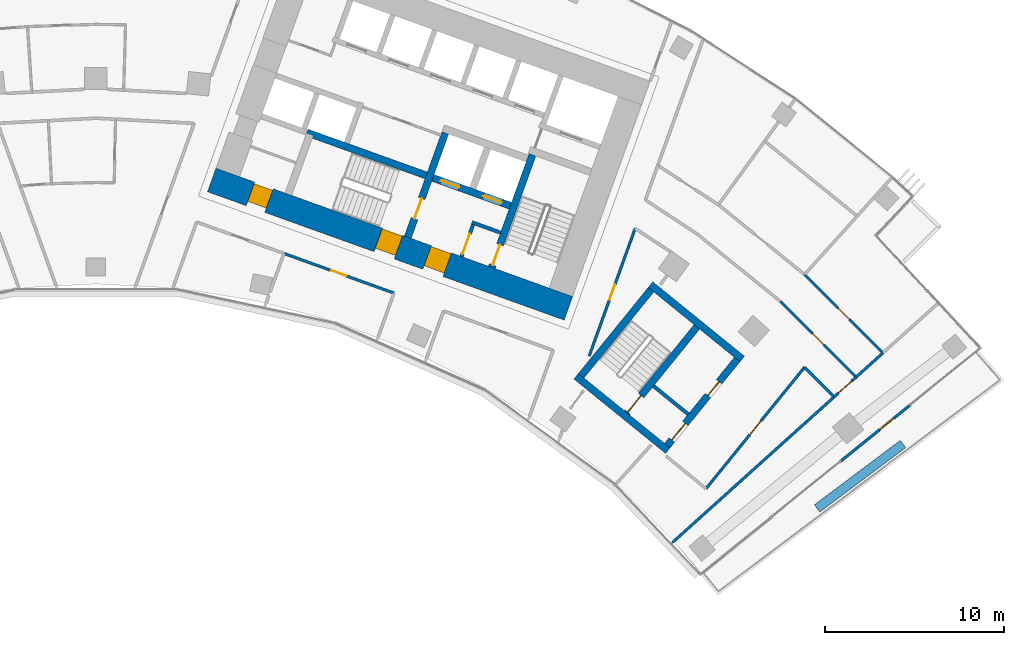
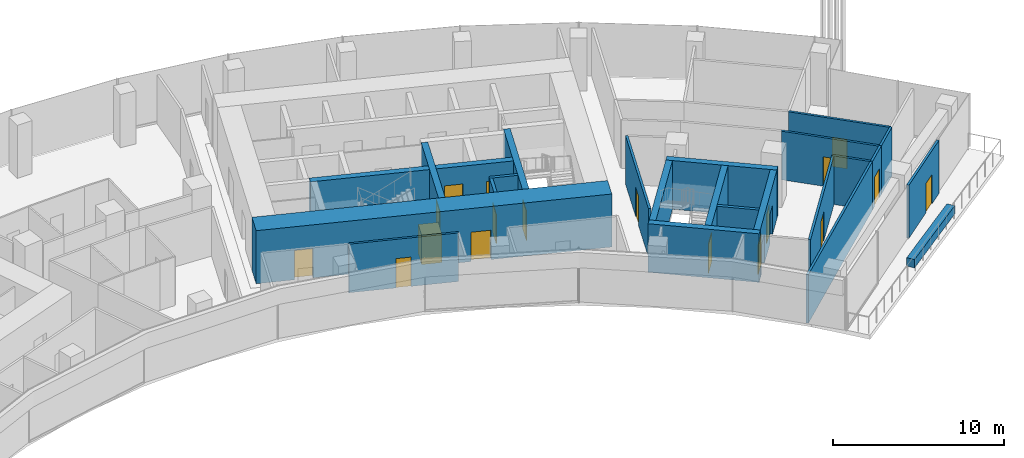
# One storey, part 17 of 21: 23 walls, 18 doors, 18 openings.
"""IFC4 building model written with IfcOpenShell, lengths in metres."""

import ifcopenshell
import ifcopenshell.guid

model = None  # the IFC model being written
_history = None  # IfcOwnerHistory: only IFC2X3 demands one
_inside = {}  # id of a spatial element -> (the spatial element, [elements in it])
_under = {}  # id of a project, library or spatial element -> (it, [spatial elements below it])
_declared = {}  # id of a project -> (the project, [libraries it declares])
_typed = {}  # id of a type object -> (the type object, [elements of that type])
_made_of = {}  # id of a material, layer set ... -> (it, [elements and type objects made of it])


def new_model(schema):
    """Start an empty IFC model of exactly this schema.

    Asked for "IFC4X3", IfcOpenShell would pick the latest addendum, in which some entities
    have other attributes; the version numbers below select the first issue.
    IFC2X3 requires an IfcOwnerHistory on every rooted entity: one is made here for all.
    """
    global model, _history
    if schema == "IFC4X3":
        model = ifcopenshell.file(schema_version=(4, 3, 0, 0))
    else:
        model = ifcopenshell.file(schema=schema)
    _inside.clear()
    _under.clear()
    _declared.clear()
    _typed.clear()
    _made_of.clear()
    _history = None
    if model.schema == "IFC2X3":
        org = make("IfcOrganization", Name="unknown")
        user = make(
            "IfcPersonAndOrganization",
            ThePerson=make("IfcPerson", FamilyName="unknown"),
            TheOrganization=org,
        )
        app = make(
            "IfcApplication",
            ApplicationDeveloper=org,
            Version="unknown",
            ApplicationFullName="unknown",
            ApplicationIdentifier="unknown",
        )
        _history = make(
            "IfcOwnerHistory",
            OwningUser=user,
            OwningApplication=app,
            ChangeAction="ADDED",
            CreationDate=0,
        )
    return model


def make(cls, **values):
    """One entity of the class cls with the attributes given. An attribute that is None is left unset."""
    return model.create_entity(
        cls, **{name: value for name, value in values.items() if value is not None}
    )


def rooted(cls, **values):
    """An entity with a GlobalId (a new one), such as an element, a storey or a relation."""
    return make(cls, GlobalId=ifcopenshell.guid.new(), OwnerHistory=_history, **values)


def si_unit(unit_type, name, prefix=None):
    """IfcSIUnit, for example si_unit("LENGTHUNIT", "METRE", prefix="MILLI")."""
    return make("IfcSIUnit", UnitType=unit_type, Prefix=prefix, Name=name)


def assignment(units):
    """IfcUnitAssignment: the units of a project."""
    return None if units is None else make("IfcUnitAssignment", Units=units)


def point(xyz):
    """IfcCartesianPoint."""
    return None if xyz is None else make("IfcCartesianPoint", Coordinates=xyz)


def direction(xyz):
    """IfcDirection."""
    return None if xyz is None else make("IfcDirection", DirectionRatios=xyz)


def frame(location, z_axis=None, x_axis=None):
    """IfcAxis2Placement3D, a coordinate frame: its origin and axes. An axis left out is left unset."""
    return make(
        "IfcAxis2Placement3D",
        Location=point(location),
        Axis=direction(z_axis),
        RefDirection=direction(x_axis),
    )


def frame_2d(location, x_axis=None):
    """IfcAxis2Placement2D, a coordinate frame in the plane: its origin and x axis."""
    return make(
        "IfcAxis2Placement2D", Location=point(location), RefDirection=direction(x_axis)
    )


def origin():
    """The frame at (0, 0, 0) with its axes left unset."""
    return frame((0.0, 0.0, 0.0))


def origin_2d():
    """The frame at (0, 0) in the plane with its x axis left unset."""
    return frame_2d((0.0, 0.0))


def place(relative_to, where):
    """IfcLocalPlacement: puts the frame where relative to a parent placement (None: the world)."""
    return make(
        "IfcLocalPlacement", PlacementRelTo=relative_to, RelativePlacement=where
    )


def context(
    kind, dimensions, precision=None, world=None, true_north=None, identifier=None
):
    """IfcGeometricRepresentationContext, for example the 3D "Model" context."""
    return make(
        "IfcGeometricRepresentationContext",
        ContextIdentifier=identifier,
        ContextType=kind,
        CoordinateSpaceDimension=dimensions,
        Precision=precision,
        WorldCoordinateSystem=world,
        TrueNorth=true_north,
    )


def subcontext(parent, identifier, kind, view, scale=None):
    """IfcGeometricRepresentationSubContext, for example "Body" below "Model"."""
    return make(
        "IfcGeometricRepresentationSubContext",
        ContextIdentifier=identifier,
        ContextType=kind,
        ParentContext=parent,
        TargetScale=scale,
        TargetView=view,
    )


def project(units=None, contexts=None):
    """IfcProject with its units and contexts."""
    return rooted(
        "IfcProject",
        Name="project",
        RepresentationContexts=contexts,
        UnitsInContext=assignment(units),
    )


def spatial(cls, under=None, at=None, **own):
    """A site, building, storey or space (cls), placed at a placement, below another one or the project."""
    s = rooted(cls, ObjectPlacement=at, **own)
    if under is not None:
        _under.setdefault(under.id(), (under, []))[1].append(s)
    return s


def profile(cls, at=None, kind="AREA", **sizes):
    """A parametric profile (cls). Its sizes go by their IFC names, for example OverallWidth=200.0."""
    return make(cls, ProfileType=kind, Position=at, **sizes)


def rectangle(**sizes):
    """IfcRectangleProfileDef."""
    return profile("IfcRectangleProfileDef", **sizes)


def extrude(swept, where, along, depth):
    """IfcExtrudedAreaSolid: the profile swept, set in the frame where, extruded along a direction by depth."""
    return make(
        "IfcExtrudedAreaSolid",
        SweptArea=swept,
        Position=where,
        ExtrudedDirection=direction(along),
        Depth=depth,
    )


def shape(context_of_items, identifier, shape_type, items):
    """IfcShapeRepresentation: the items that make up one representation, for example the "Body"."""
    return make(
        "IfcShapeRepresentation",
        ContextOfItems=context_of_items,
        RepresentationIdentifier=identifier,
        RepresentationType=shape_type,
        Items=items,
    )


def material(Name=None, Category=None):
    """IfcMaterial."""
    return make("IfcMaterial", Name=Name, Category=Category)


def layer(
    of_material, thickness, ventilated=None, Name=None, Category=None, Priority=None
):
    """IfcMaterialLayer: one layer of a wall or slab, of a material (None: an air gap)."""
    return make(
        "IfcMaterialLayer",
        Material=of_material,
        LayerThickness=thickness,
        IsVentilated=ventilated,
        Name=Name,
        Category=Category,
        Priority=Priority,
    )


def layer_set(layers, Name=None):
    """IfcMaterialLayerSet."""
    return make("IfcMaterialLayerSet", MaterialLayers=layers, LayerSetName=Name)


def made_of(thing, what):
    """Note that an element or type object is made of a material, layer set ...; save() writes the relation."""
    if what is not None:
        _made_of.setdefault(what.id(), (what, []))[1].append(thing)
    return thing


def type_object(cls, material=None, **own):
    """A type object (cls), such as IfcWallType, which elements share."""
    return made_of(rooted(cls, **own), material)


def element(
    cls,
    number,
    at=None,
    inside=None,
    cuts=None,
    type_object=None,
    material=None,
    context=None,
    identifier="Body",
    shape_type=None,
    held_by="IfcProductDefinitionShape",
    body=None,
    shapes=None,
    **own,
):
    """One element of the class cls, such as IfcWall. Its Tag is "e" and its number.

    at: its placement. inside: the storey or other place that contains it. cuts: it is an
    opening in that element (IfcRelVoidsElement). A single representation is given by context,
    identifier, shape_type and body (its items); several are given by shapes. held_by: the class
    of the entity that holds the representations. save() writes the other relations.
    """
    e = rooted(cls, Tag="e%d" % number, ObjectPlacement=at, **own)
    if body is not None:
        shapes = [shape(context, identifier, shape_type, body)]
    if shapes is not None:
        e.Representation = make(held_by, Representations=shapes)
    if inside is not None:
        _inside.setdefault(inside.id(), (inside, []))[1].append(e)
    if cuts is not None:
        rooted(
            "IfcRelVoidsElement", RelatingBuildingElement=cuts, RelatedOpeningElement=e
        )
    if type_object is not None:
        _typed.setdefault(type_object.id(), (type_object, []))[1].append(e)
    return made_of(e, material)


def fill(opening, filler):
    """IfcRelFillsElement: the door or window that sits in an opening."""
    return rooted(
        "IfcRelFillsElement",
        RelatingOpeningElement=opening,
        RelatedBuildingElement=filler,
    )


def aggregate(whole, parts):
    """IfcRelAggregates: a whole, such as a stair, and the parts it consists of."""
    return rooted("IfcRelAggregates", RelatingObject=whole, RelatedObjects=parts)


def save(model, path):
    """Write the relations noted so far, then the file.

    IfcRelAggregates (storeys below a building ...), IfcRelContainedInSpatialStructure (elements
    in a storey), IfcRelDefinesByType, IfcRelAssociatesMaterial and IfcRelDeclares: one each for
    every whole, place, type object, material and project.
    """
    for whole, parts in _under.values():
        aggregate(whole, parts)
    for where, things in _inside.values():
        rooted(
            "IfcRelContainedInSpatialStructure",
            RelatedElements=things,
            RelatingStructure=where,
        )
    for kind, things in _typed.values():
        rooted("IfcRelDefinesByType", RelatedObjects=things, RelatingType=kind)
    for what, things in _made_of.values():
        rooted("IfcRelAssociatesMaterial", RelatedObjects=things, RelatingMaterial=what)
    for by, libraries in _declared.values():
        rooted("IfcRelDeclares", RelatingContext=by, RelatedDefinitions=libraries)
    model.write(path)


model = new_model("IFC4")

# Units and contexts
model_context = context("Model", 3, precision=1e-05, world=origin(), true_north=direction((0.0, 1.0)))
body_context = subcontext(model_context, "Body", "Model", "MODEL_VIEW")
ifc_project = project(units=[si_unit("LENGTHUNIT", "METRE"), si_unit("AREAUNIT", "SQUARE_METRE"), si_unit("VOLUMEUNIT", "CUBIC_METRE"), si_unit("PLANEANGLEUNIT", "RADIAN"), si_unit("MASSUNIT", "GRAM", prefix="KILO")], contexts=[model_context])

# Site, building, storey
site_placement = place(None, origin())
site = spatial("IfcSite", under=ifc_project, at=site_placement, CompositionType="ELEMENT")
building_placement = place(site_placement, origin())
building = spatial("IfcBuilding", under=site, at=building_placement, Name="Stone Belt Terrace Tower", CompositionType="ELEMENT")
storey_placement = place(building_placement, frame((0.0, 0.0, 159.199951171875)))
storey = spatial("IfcBuildingStorey", under=building, at=storey_placement, Name="L38", CompositionType="ELEMENT", Elevation=159.199951171875)

# Wall, opening, door
ifc_material_1 = material(Name="Terracotta coloured glazed ceramic", Category="masonry")
ifc_layer_1 = layer(ifc_material_1, 0.14990234375)
ifc_layer_set_1 = layer_set([ifc_layer_1], Name="Ceramic rain-screen wall 150")
wall_type_1 = type_object("IfcWallType", Name="Ceramic rain-screen wall 150", PredefinedType="SOLIDWALL", material=ifc_layer_set_1)
wall_1_placement = place(storey_placement, frame((41.67431640625, 33.59619140625, 0.0), z_axis=(0.0, 0.0, 1.0), x_axis=(0.777627970578, 0.628724692831, 0.0)))
wall_1 = element("IfcWall", 1, at=wall_1_placement, inside=storey, type_object=wall_type_1, Name="Door wall L38", PredefinedType="SOLIDWALL", context=body_context, shape_type="SweptSolid", body=[
    extrude(rectangle(XDim=4.940185546875, YDim=0.14990234375, at=frame_2d((2.47021484375, 0.0))), origin(), (0.0, 0.0, 1.0), 3.800048828125),
])
opening_1_placement = place(wall_1_placement, frame((2.800048828125, 0.0, 0.0)))
opening_1 = element("IfcOpeningElement", 2, at=opening_1_placement, cuts=wall_1, Name="Opening L38-E01", PredefinedType="OPENING", context=body_context, shape_type="SweptSolid", body=[
    extrude(rectangle(XDim=1.0, YDim=2.10009765625, at=frame_2d((0.5, 1.050048828125))), frame((0.0, 0.0849609375, 0.0), z_axis=(0.0, -1.0, 0.0), x_axis=(1.0, 0.0, 0.0)), (0.0, 0.0, 1.0), 0.169921875),
])
ifc_material_2 = material(Name="Anodised aluminium glazed door", Category="aluminium")
door_type_1 = type_object("IfcDoorType", Name="Terrace door 1000 x 2100", OperationType="NOTDEFINED", PredefinedType="DOOR", material=ifc_material_2)
door_1_placement = place(opening_1_placement, origin())
door_1 = element("IfcDoor", 3, at=door_1_placement, inside=storey, type_object=door_type_1, Name="Terrace door L38", OperationType="SINGLE_SWING_RIGHT", OverallHeight=2.10009765625, OverallWidth=1.0, PredefinedType="DOOR", context=body_context, shape_type="SweptSolid", body=[
    extrude(rectangle(XDim=1.0, YDim=2.10009765625, at=frame_2d((0.5, 1.050048828125))), frame((0.0, 0.02490234375, 0.0), z_axis=(0.0, -1.0, 0.0), x_axis=(1.0, 0.0, 0.0)), (0.0, 0.0, 1.0), 0.050048828125),
])
fill(opening_1, door_1)

# Wall, openings, doors
ifc_material_3 = material(Name="Concrete B80", Category="concrete")
ifc_layer_2 = layer(ifc_material_3, 1.39990234375)
ifc_layer_set_2 = layer_set([ifc_layer_2], Name="Core wall 1400 B80")
wall_type_2 = type_object("IfcWallType", Name="Core wall 1400 B80", PredefinedType="SHEAR", material=ifc_layer_set_2)
wall_2_placement = place(storey_placement, frame((6.4833984375, 49.318115234375, 0.0), z_axis=(0.0, 0.0, 1.0), x_axis=(0.940923374003, -0.33861955681, 0.0)))
wall_2 = element("IfcWall", 4, at=wall_2_placement, inside=storey, type_object=wall_type_2, Name="Core B wall concave L38", PredefinedType="SHEAR", context=body_context, shape_type="SweptSolid", body=[
    extrude(rectangle(XDim=21.199951171875, YDim=1.39990234375, at=frame_2d((10.60009765625, 0.0))), origin(), (0.0, 0.0, 1.0), 3.800048828125),
])
opening_2_placement = place(wall_2_placement, frame((12.800048828125, 0.0, 0.0)))
opening_2 = element("IfcOpeningElement", 5, at=opening_2_placement, cuts=wall_2, Name="Opening L38-C18", PredefinedType="OPENING", context=body_context, shape_type="SweptSolid", body=[
    extrude(rectangle(XDim=1.199951171875, YDim=2.10009765625, at=frame_2d((0.60009765625, 1.050048828125))), frame((0.0, 0.7099609375, 0.0), z_axis=(0.0, -1.0, 0.0), x_axis=(1.0, 0.0, 0.0)), (0.0, 0.0, 1.0), 1.419921875),
])
opening_3_placement = place(wall_2_placement, frame((9.89990234375, 0.0, 0.0)))
opening_3 = element("IfcOpeningElement", 6, at=opening_3_placement, cuts=wall_2, Name="Opening L38-C20", PredefinedType="OPENING", context=body_context, shape_type="SweptSolid", body=[
    extrude(rectangle(XDim=1.199951171875, YDim=2.10009765625, at=frame_2d((0.60009765625, 1.050048828125))), frame((0.0, 0.7099609375, 0.0), z_axis=(0.0, -1.0, 0.0), x_axis=(1.0, 0.0, 0.0)), (0.0, 0.0, 1.0), 1.419921875),
])
opening_4_placement = place(wall_2_placement, frame((2.300048828125, 0.0, 0.0)))
opening_4 = element("IfcOpeningElement", 7, at=opening_4_placement, cuts=wall_2, Name="Opening L38-C22", PredefinedType="OPENING", context=body_context, shape_type="SweptSolid", body=[
    extrude(rectangle(XDim=1.10009765625, YDim=2.10009765625, at=frame_2d((0.550048828125, 1.050048828125))), frame((0.0, 0.7099609375, 0.0), z_axis=(0.0, -1.0, 0.0), x_axis=(1.0, 0.0, 0.0)), (0.0, 0.0, 1.0), 1.419921875),
])
ifc_material_4 = material(Name="Timber door leaf", Category="wood")
door_type_2 = type_object("IfcDoorType", Name="Core room door 1100", OperationType="SINGLE_SWING_LEFT", PredefinedType="DOOR", material=ifc_material_4)
door_2_placement = place(opening_4_placement, origin())
door_2 = element("IfcDoor", 8, at=door_2_placement, inside=storey, type_object=door_type_2, Name="Door to Cleaner's store core B", OperationType="SINGLE_SWING_LEFT", OverallHeight=2.10009765625, OverallWidth=1.10009765625, PredefinedType="DOOR", context=body_context, shape_type="SweptSolid", body=[
    extrude(rectangle(XDim=1.10009765625, YDim=2.10009765625, at=frame_2d((0.550048828125, 1.050048828125))), frame((0.0, 0.60498046875, 0.0), z_axis=(0.0, -1.0, 0.0), x_axis=(1.0, 0.0, 0.0)), (0.0, 0.0, 1.0), 1.050048828125),
])
fill(opening_4, door_2)
ifc_material_5 = material(Name="Steel door leaf", Category="steel")
door_type_3 = type_object("IfcDoorType", Name="Fire-fighting lobby door 1200", OperationType="SINGLE_SWING_LEFT", PredefinedType="DOOR", material=ifc_material_5)
door_3_placement = place(opening_2_placement, origin())
door_3 = element("IfcDoor", 9, at=door_3_placement, inside=storey, type_object=door_type_3, Name="Fire-fighting lobby door core B", OperationType="SINGLE_SWING_LEFT", OverallHeight=2.10009765625, OverallWidth=1.199951171875, PredefinedType="DOOR", context=body_context, shape_type="SweptSolid", body=[
    extrude(rectangle(XDim=1.199951171875, YDim=2.10009765625, at=frame_2d((0.60009765625, 1.050048828125))), frame((0.0, 0.655029296875, 0.0), z_axis=(0.0, -1.0, 0.0), x_axis=(1.0, 0.0, 0.0)), (0.0, 0.0, 1.0), 1.14990234375),
])
fill(opening_2, door_3)
door_type_4 = type_object("IfcDoorType", Name="Stair door 1200", OperationType="SINGLE_SWING_LEFT", PredefinedType="DOOR", material=ifc_material_5)
door_4_placement = place(opening_3_placement, origin())
door_4 = element("IfcDoor", 10, at=door_4_placement, inside=storey, type_object=door_type_4, Name="Stair 2 exit door core B", OperationType="SINGLE_SWING_RIGHT", OverallHeight=2.10009765625, OverallWidth=1.199951171875, PredefinedType="DOOR", context=body_context, shape_type="SweptSolid", body=[
    extrude(rectangle(XDim=1.199951171875, YDim=2.10009765625, at=frame_2d((0.60009765625, 1.050048828125))), frame((0.0, 0.655029296875, 0.0), z_axis=(0.0, -1.0, 0.0), x_axis=(1.0, 0.0, 0.0)), (0.0, 0.0, 1.0), 1.14990234375),
])
fill(opening_3, door_4)

# Wall, opening, door
ifc_material_6 = material(Name="Gypsum board partition")
ifc_layer_3 = layer(ifc_material_6, 0.14990234375)
ifc_layer_set_3 = layer_set([ifc_layer_3], Name="PARTITION 150 EI 60")
wall_type_3 = type_object("IfcWallType", Name="PARTITION 150 EI 60", PredefinedType="PARTITIONING", material=ifc_layer_set_3)
wall_3_placement = place(storey_placement, frame((30.1669921875, 46.612060546875, 0.0), z_axis=(0.0, 0.0, 1.0), x_axis=(-0.338694393991, -0.940896438233, 0.0)))
wall_3 = element("IfcWall", 11, at=wall_3_placement, inside=storey, type_object=wall_type_3, Name="L38/wall/i029", PredefinedType="PARTITIONING", context=body_context, shape_type="SweptSolid", body=[
    extrude(rectangle(XDim=7.585205078125, YDim=0.14990234375, at=frame_2d((3.79248046875, 0.0))), origin(), (0.0, 0.0, 1.0), 3.47998046875),
])
opening_5_placement = place(wall_3_placement, frame((3.342529296875, 0.0, 0.0)))
opening_5 = element("IfcOpeningElement", 12, at=opening_5_placement, cuts=wall_3, Name="Opening D-C2-20", PredefinedType="OPENING", context=body_context, shape_type="SweptSolid", body=[
    extrude(rectangle(XDim=0.89990234375, YDim=2.10009765625, at=frame_2d((0.449951171875, 1.050048828125))), frame((0.0, 0.0849609375, 0.0), z_axis=(0.0, -1.0, 0.0), x_axis=(1.0, 0.0, 0.0)), (0.0, 0.0, 1.0), 0.169921875),
])
door_type_5 = type_object("IfcDoorType", Name="OFFICE DOOR 900 X 2100", OperationType="NOTDEFINED", PredefinedType="DOOR", material=ifc_material_4)
door_5_placement = place(opening_5_placement, origin())
door_5 = element("IfcDoor", 13, at=door_5_placement, inside=storey, type_object=door_type_5, Name="L38/door/i20", OperationType="SINGLE_SWING_RIGHT", OverallHeight=2.10009765625, OverallWidth=0.89990234375, PredefinedType="DOOR", context=body_context, shape_type="SweptSolid", body=[
    extrude(rectangle(XDim=0.89990234375, YDim=2.10009765625, at=frame_2d((0.449951171875, 1.050048828125))), frame((0.0, 0.02490234375, 0.0), z_axis=(0.0, -1.0, 0.0), x_axis=(1.0, 0.0, 0.0)), (0.0, 0.0, 1.0), 0.050048828125),
])
fill(opening_5, door_5)

wall_4_placement = place(storey_placement, frame((16.673095703125, 42.993896484375, 0.0), z_axis=(0.0, 0.0, 1.0), x_axis=(-0.940900248157, 0.338683809795, 0.0)))
wall_4 = element("IfcWall", 14, at=wall_4_placement, inside=storey, type_object=wall_type_3, Name="L38/wall/i036", PredefinedType="PARTITIONING", context=body_context, shape_type="SweptSolid", body=[
    extrude(rectangle(XDim=6.546142578125, YDim=0.14990234375, at=frame_2d((3.27294921875, 0.0))), origin(), (0.0, 0.0, 1.0), 3.47998046875),
])
opening_6_placement = place(wall_4_placement, frame((2.822998046875, 0.0, 0.0)))
opening_6 = element("IfcOpeningElement", 15, at=opening_6_placement, cuts=wall_4, Name="Opening D-C2-08", PredefinedType="OPENING", context=body_context, shape_type="SweptSolid", body=[
    extrude(rectangle(XDim=0.89990234375, YDim=2.10009765625, at=frame_2d((0.449951171875, 1.050048828125))), frame((0.0, 0.0849609375, 0.0), z_axis=(0.0, -1.0, 0.0), x_axis=(1.0, 0.0, 0.0)), (0.0, 0.0, 1.0), 0.169921875),
])
door_6_placement = place(opening_6_placement, origin())
door_6 = element("IfcDoor", 16, at=door_6_placement, inside=storey, type_object=door_type_5, Name="L38/door/i08", OperationType="SINGLE_SWING_RIGHT", OverallHeight=2.10009765625, OverallWidth=0.89990234375, PredefinedType="DOOR", context=body_context, shape_type="SweptSolid", body=[
    extrude(rectangle(XDim=0.89990234375, YDim=2.10009765625, at=frame_2d((0.449951171875, 1.050048828125))), frame((0.0, 0.02490234375, 0.0), z_axis=(0.0, -1.0, 0.0), x_axis=(1.0, 0.0, 0.0)), (0.0, 0.0, 1.0), 0.050048828125),
])
fill(opening_6, door_6)

wall_5_placement = place(storey_placement, frame((42.530029296875, 38.294921875, 0.0), z_axis=(0.0, 0.0, 1.0), x_axis=(-0.74296518681, -0.669330061471, 0.0)))
wall_5 = element("IfcWall", 17, at=wall_5_placement, inside=storey, type_object=wall_type_3, Name="L38/wall/i061", PredefinedType="PARTITIONING", context=body_context, shape_type="SweptSolid", body=[
    extrude(rectangle(XDim=1.6611328125, YDim=0.14990234375, at=frame_2d((0.83056640625, 0.0))), origin(), (0.0, 0.0, 1.0), 3.47998046875),
])
opening_7_placement = place(wall_5_placement, frame((0.33056640625, 0.0, 0.0)))
opening_7 = element("IfcOpeningElement", 18, at=opening_7_placement, cuts=wall_5, Name="Opening D-C2-19", PredefinedType="OPENING", context=body_context, shape_type="SweptSolid", body=[
    extrude(rectangle(XDim=1.0, YDim=2.10009765625, at=frame_2d((0.5, 1.050048828125))), frame((0.0, 0.0849609375, 0.0), z_axis=(0.0, -1.0, 0.0), x_axis=(1.0, 0.0, 0.0)), (0.0, 0.0, 1.0), 0.169921875),
])
ifc_material_7 = material(Name="Timber fire door leaf", Category="wood")
door_type_6 = type_object("IfcDoorType", Name="TENANCY ENTRANCE DOOR 1000 X 2100", OperationType="NOTDEFINED", PredefinedType="DOOR", material=ifc_material_7)
door_7_placement = place(opening_7_placement, origin())
door_7 = element("IfcDoor", 19, at=door_7_placement, inside=storey, type_object=door_type_6, Name="L38/door/i19", OperationType="SINGLE_SWING_RIGHT", OverallHeight=2.10009765625, OverallWidth=1.0, PredefinedType="DOOR", context=body_context, shape_type="SweptSolid", body=[
    extrude(rectangle(XDim=1.0, YDim=2.10009765625, at=frame_2d((0.5, 1.050048828125))), frame((0.0, 0.02490234375, 0.0), z_axis=(0.0, -1.0, 0.0), x_axis=(1.0, 0.0, 0.0)), (0.0, 0.0, 1.0), 0.050048828125),
])
fill(opening_7, door_7)

# Walls
wall_6_placement = place(storey_placement, frame((32.23681640625, 29.026123046875, 0.0), z_axis=(0.0, 0.0, 1.0), x_axis=(0.743116028327, 0.669162587451, 0.0)))
element("IfcWall", 20, at=wall_6_placement, inside=storey, type_object=wall_type_3, Name="L38/wall/i062", PredefinedType="PARTITIONING", context=body_context, shape_type="SweptSolid", body=[
    extrude(rectangle(XDim=12.201416015625, YDim=0.14990234375, at=frame_2d((6.1005859375, 0.0))), origin(), (0.0, 0.0, 1.0), 3.47998046875),
])
wall_7_placement = place(storey_placement, frame((42.52197265625, 38.287109375, 0.0), z_axis=(0.0, 0.0, 1.0), x_axis=(0.743276242629, 0.668984623997, 0.0)))
element("IfcWall", 21, at=wall_7_placement, inside=storey, type_object=wall_type_3, Name="L38/wall/i063", PredefinedType="PARTITIONING", context=body_context, shape_type="SweptSolid", body=[
    extrude(rectangle(XDim=2.0341796875, YDim=0.14990234375, at=frame_2d((1.01708984375, 0.0))), origin(), (0.0, 0.0, 1.0), 3.47998046875),
])
wall_8_placement = place(storey_placement, frame((41.300048828125, 37.18701171875, 0.0), z_axis=(0.0, 0.0, 1.0), x_axis=(-0.707158745675, 0.707054812879, 0.0)))
element("IfcWall", 22, at=wall_8_placement, inside=storey, type_object=wall_type_3, Name="L38/wall/i067", PredefinedType="PARTITIONING", context=body_context, shape_type="SweptSolid", body=[
    extrude(rectangle(XDim=2.34912109375, YDim=0.14990234375, at=frame_2d((1.174560546875, 0.0))), origin(), (0.0, 0.0, 1.0), 3.47998046875),
])

# Wall, opening, door
wall_9_placement = place(storey_placement, frame((38.291015625, 42.52587890625, 0.0), z_axis=(0.0, 0.0, 1.0), x_axis=(0.707106781187, -0.707106781187, 0.0)))
wall_9 = element("IfcWall", 23, at=wall_9_placement, inside=storey, type_object=wall_type_3, Name="L38/wall/i070", PredefinedType="PARTITIONING", context=body_context, shape_type="SweptSolid", body=[
    extrude(rectangle(XDim=5.989013671875, YDim=0.14990234375, at=frame_2d((2.99462890625, 0.0))), origin(), (0.0, 0.0, 1.0), 3.47998046875),
])
opening_8_placement = place(wall_9_placement, frame((2.544677734375, 0.0, 0.0)))
opening_8 = element("IfcOpeningElement", 24, at=opening_8_placement, cuts=wall_9, Name="Opening D-C2-23", PredefinedType="OPENING", context=body_context, shape_type="SweptSolid", body=[
    extrude(rectangle(XDim=0.89990234375, YDim=2.10009765625, at=frame_2d((0.449951171875, 1.050048828125))), frame((0.0, 0.0849609375, 0.0), z_axis=(0.0, -1.0, 0.0), x_axis=(1.0, 0.0, 0.0)), (0.0, 0.0, 1.0), 0.169921875),
])
door_8_placement = place(opening_8_placement, origin())
door_8 = element("IfcDoor", 25, at=door_8_placement, inside=storey, type_object=door_type_5, Name="L38/door/i23", OperationType="SINGLE_SWING_RIGHT", OverallHeight=2.10009765625, OverallWidth=0.89990234375, PredefinedType="DOOR", context=body_context, shape_type="SweptSolid", body=[
    extrude(rectangle(XDim=0.89990234375, YDim=2.10009765625, at=frame_2d((0.449951171875, 1.050048828125))), frame((0.0, 0.02490234375, 0.0), z_axis=(0.0, -1.0, 0.0), x_axis=(1.0, 0.0, 0.0)), (0.0, 0.0, 1.0), 0.050048828125),
])
fill(opening_8, door_8)

wall_10_placement = place(storey_placement, frame((39.64306640625, 38.843994140625, 0.0), z_axis=(0.0, 0.0, 1.0), x_axis=(-0.630226712005, -0.776411161354, 0.0)))
wall_10 = element("IfcWall", 26, at=wall_10_placement, inside=storey, type_object=wall_type_3, Name="L38/wall/i071", PredefinedType="PARTITIONING", context=body_context, shape_type="SweptSolid", body=[
    extrude(rectangle(XDim=8.742919921875, YDim=0.14990234375, at=frame_2d((4.37158203125, 0.0))), origin(), (0.0, 0.0, 1.0), 3.47998046875),
])
opening_9_placement = place(wall_10_placement, frame((3.871337890625, 0.0, 0.0)))
opening_9 = element("IfcOpeningElement", 27, at=opening_9_placement, cuts=wall_10, Name="Opening D-C2-22", PredefinedType="OPENING", context=body_context, shape_type="SweptSolid", body=[
    extrude(rectangle(XDim=1.0, YDim=2.10009765625, at=frame_2d((0.5, 1.050048828125))), frame((0.0, 0.0849609375, 0.0), z_axis=(0.0, -1.0, 0.0), x_axis=(1.0, 0.0, 0.0)), (0.0, 0.0, 1.0), 0.169921875),
])
door_9_placement = place(opening_9_placement, origin())
door_9 = element("IfcDoor", 28, at=door_9_placement, inside=storey, type_object=door_type_6, Name="L38/door/i22", OperationType="SINGLE_SWING_RIGHT", OverallHeight=2.10009765625, OverallWidth=1.0, PredefinedType="DOOR", context=body_context, shape_type="SweptSolid", body=[
    extrude(rectangle(XDim=1.0, YDim=2.10009765625, at=frame_2d((0.5, 1.050048828125))), frame((0.0, 0.02490234375, 0.0), z_axis=(0.0, -1.0, 0.0), x_axis=(1.0, 0.0, 0.0)), (0.0, 0.0, 1.0), 0.050048828125),
])
fill(opening_9, door_9)

wall_11_placement = place(storey_placement, frame((39.639892578125, 44.033935546875, 0.0), z_axis=(0.0, 0.0, 1.0), x_axis=(0.707126447351, -0.707087114475, 0.0)))
wall_11 = element("IfcWall", 29, at=wall_11_placement, inside=storey, type_object=wall_type_3, Name="L38/wall/i076", PredefinedType="PARTITIONING", context=body_context, shape_type="SweptSolid", body=[
    extrude(rectangle(XDim=6.20703125, YDim=0.14990234375, at=frame_2d((3.103515625, 0.0))), origin(), (0.0, 0.0, 1.0), 3.47998046875),
])
opening_10_placement = place(wall_11_placement, frame((2.653564453125, 0.0, 0.0)))
opening_10 = element("IfcOpeningElement", 30, at=opening_10_placement, cuts=wall_11, Name="Opening D-C2-26", PredefinedType="OPENING", context=body_context, shape_type="SweptSolid", body=[
    extrude(rectangle(XDim=0.89990234375, YDim=2.10009765625, at=frame_2d((0.449951171875, 1.050048828125))), frame((0.0, 0.0849609375, 0.0), z_axis=(0.0, -1.0, 0.0), x_axis=(1.0, 0.0, 0.0)), (0.0, 0.0, 1.0), 0.169921875),
])
door_10_placement = place(opening_10_placement, origin())
door_10 = element("IfcDoor", 31, at=door_10_placement, inside=storey, type_object=door_type_5, Name="L38/door/i26", OperationType="SINGLE_SWING_RIGHT", OverallHeight=2.10009765625, OverallWidth=0.89990234375, PredefinedType="DOOR", context=body_context, shape_type="SweptSolid", body=[
    extrude(rectangle(XDim=0.89990234375, YDim=2.10009765625, at=frame_2d((0.449951171875, 1.050048828125))), frame((0.0, 0.02490234375, 0.0), z_axis=(0.0, -1.0, 0.0), x_axis=(1.0, 0.0, 0.0)), (0.0, 0.0, 1.0), 0.050048828125),
])
fill(opening_10, door_10)

# Walls
ifc_material_8 = material(Name="Precast concrete C40/50", Category="concrete")
ifc_layer_4 = layer(ifc_material_8, 0.5)
ifc_layer_set_4 = layer_set([ifc_layer_4], Name="Planter box 500 x 600")
wall_type_4 = type_object("IfcWallType", Name="Planter box 500 x 600", PredefinedType="SOLIDWALL", material=ifc_layer_set_4)
wall_12_placement = place(storey_placement, frame((42.749267578125, 32.7509765625, 0.0), z_axis=(0.0, 0.0, 1.0), x_axis=(0.799986505357, 0.600017992436, 0.0)))
element("IfcWall", 32, at=wall_12_placement, inside=storey, type_object=wall_type_4, Name="PLANTER L38 1", PredefinedType="SOLIDWALL", context=body_context, shape_type="SweptSolid", body=[
    extrude(rectangle(XDim=6.0, YDim=0.5, at=origin_2d()), origin(), (0.0, 0.0, 1.0), 0.60009765625),
])
ifc_material_9 = material(Name="Concrete masonry block", Category="masonry")
ifc_layer_5 = layer(ifc_material_9, 0.199951171875)
ifc_layer_set_5 = layer_set([ifc_layer_5], Name="Rated lobby wall 200")
wall_type_5 = type_object("IfcWallType", Name="Rated lobby wall 200", PredefinedType="PARTITIONING", material=ifc_layer_set_5)
wall_13_placement = place(storey_placement, frame((22.640625, 46.373046875, 0.0), z_axis=(0.0, 0.0, 1.0), x_axis=(-0.940966110313, 0.338500781747, 0.0)))
element("IfcWall", 33, at=wall_13_placement, inside=storey, type_object=wall_type_5, Name="Core B wall", PredefinedType="PARTITIONING", context=body_context, shape_type="SweptSolid", body=[
    extrude(rectangle(XDim=1.699951171875, YDim=0.199951171875, at=frame_2d((0.85009765625, 0.0))), origin(), (0.0, 0.0, 1.0), 3.47998046875),
])

# Wall, opening, door
wall_14_placement = place(storey_placement, frame((20.4580078125, 45.032958984375, 0.0), z_axis=(0.0, 0.0, 1.0), x_axis=(0.338573865316, 0.940939816208, 0.0)))
wall_14 = element("IfcWall", 34, at=wall_14_placement, inside=storey, type_object=wall_type_5, Name="Core B wall", PredefinedType="PARTITIONING", context=body_context, shape_type="SweptSolid", body=[
    extrude(rectangle(XDim=1.900146484375, YDim=0.199951171875, at=frame_2d((0.9501953125, 0.0))), origin(), (0.0, 0.0, 1.0), 3.47998046875),
])
opening_11_placement = place(wall_14_placement, frame((0.14990234375, 0.0, 0.0)))
opening_11 = element("IfcOpeningElement", 35, at=opening_11_placement, cuts=wall_14, Name="Opening L38-C17", PredefinedType="OPENING", context=body_context, shape_type="SweptSolid", body=[
    extrude(rectangle(XDim=1.199951171875, YDim=2.10009765625, at=frame_2d((0.60009765625, 1.050048828125))), frame((0.0, 0.10986328125, 0.0), z_axis=(0.0, -1.0, 0.0), x_axis=(1.0, 0.0, 0.0)), (0.0, 0.0, 1.0), 0.219970703125),
])
door_11_placement = place(opening_11_placement, origin())
door_11 = element("IfcDoor", 36, at=door_11_placement, inside=storey, type_object=door_type_4, Name="Stair airlock door core B", OperationType="SINGLE_SWING_LEFT", OverallHeight=2.10009765625, OverallWidth=1.199951171875, PredefinedType="DOOR", context=body_context, shape_type="SweptSolid", body=[
    extrude(rectangle(XDim=1.199951171875, YDim=2.10009765625, at=frame_2d((0.60009765625, 1.050048828125))), frame((0.0, 0.02490234375, 0.0), z_axis=(0.0, -1.0, 0.0), x_axis=(1.0, 0.0, 0.0)), (0.0, 0.0, 1.0), 0.050048828125),
])
fill(opening_11, door_11)

# Wall
wall_15_placement = place(storey_placement, frame((31.190673828125, 37.79296875, 0.0), z_axis=(0.0, 0.0, 1.0), x_axis=(0.776370830301, -0.630276394813, 0.0)))
element("IfcWall", 37, at=wall_15_placement, inside=storey, type_object=wall_type_5, Name="Exit stair ST3B wall", PredefinedType="PARTITIONING", context=body_context, shape_type="SweptSolid", body=[
    extrude(rectangle(XDim=2.5, YDim=0.199951171875, at=frame_2d((1.25, 0.0))), origin(), (0.0, 0.0, 1.0), 3.47998046875),
])

# Wall, opening, door
ifc_layer_6 = layer(ifc_material_3, 0.39990234375)
ifc_layer_set_6 = layer_set([ifc_layer_6], Name="Stair enclosure wall 400")
wall_type_6 = type_object("IfcWallType", Name="Stair enclosure wall 400", PredefinedType="SHEAR", material=ifc_layer_set_6)
wall_16_placement = place(storey_placement, frame((22.151611328125, 44.42333984375, 0.0), z_axis=(0.0, 0.0, 1.0), x_axis=(0.338625272931, 0.940921316866, 0.0)))
wall_16 = element("IfcWall", 38, at=wall_16_placement, inside=storey, type_object=wall_type_6, Name="Core B wall", PredefinedType="SHEAR", context=body_context, shape_type="SweptSolid", body=[
    extrude(rectangle(XDim=6.699951171875, YDim=0.39990234375, at=frame_2d((3.35009765625, 0.0))), origin(), (0.0, 0.0, 1.0), 3.47998046875),
])
opening_12_placement = place(wall_16_placement, frame((0.14990234375, 0.0, 0.0)))
opening_12 = element("IfcOpeningElement", 39, at=opening_12_placement, cuts=wall_16, Name="Opening L38-C16", PredefinedType="OPENING", context=body_context, shape_type="SweptSolid", body=[
    extrude(rectangle(XDim=1.199951171875, YDim=2.10009765625, at=frame_2d((0.60009765625, 1.050048828125))), frame((0.0, 0.2099609375, 0.0), z_axis=(0.0, -1.0, 0.0), x_axis=(1.0, 0.0, 0.0)), (0.0, 0.0, 1.0), 0.419921875),
])
door_12_placement = place(opening_12_placement, origin())
door_12 = element("IfcDoor", 40, at=door_12_placement, inside=storey, type_object=door_type_4, Name="Stair 1 door core B", OperationType="SINGLE_SWING_LEFT", OverallHeight=2.10009765625, OverallWidth=1.199951171875, PredefinedType="DOOR", context=body_context, shape_type="SweptSolid", body=[
    extrude(rectangle(XDim=1.199951171875, YDim=2.10009765625, at=frame_2d((0.60009765625, 1.050048828125))), frame((0.0, 0.02490234375, 0.0), z_axis=(0.0, -1.0, 0.0), x_axis=(1.0, 0.0, 0.0)), (0.0, 0.0, 1.0), 0.050048828125),
])
fill(opening_12, door_12)

# Wall, openings, doors
wall_17_placement = place(storey_placement, frame((23.182373046875, 47.87841796875, 0.0), z_axis=(0.0, 0.0, 1.0), x_axis=(-0.940921101762, 0.338625870628, 0.0)))
wall_17 = element("IfcWall", 41, at=wall_17_placement, inside=storey, type_object=wall_type_6, Name="Core B wall", PredefinedType="SHEAR", context=body_context, shape_type="SweptSolid", body=[
    extrude(rectangle(XDim=12.10009765625, YDim=0.39990234375, at=frame_2d((6.050048828125, 0.0))), origin(), (0.0, 0.0, 1.0), 3.47998046875),
])
opening_13_placement = place(wall_17_placement, frame((0.52001953125, 0.0, 0.0)))
opening_13 = element("IfcOpeningElement", 42, at=opening_13_placement, cuts=wall_17, Name="Opening L38-LD14", PredefinedType="OPENING", context=body_context, shape_type="SweptSolid", body=[
    extrude(rectangle(XDim=1.10009765625, YDim=2.199951171875, at=frame_2d((0.550048828125, 1.10009765625))), frame((0.0, 0.2099609375, 0.0), z_axis=(0.0, -1.0, 0.0), x_axis=(1.0, 0.0, 0.0)), (0.0, 0.0, 1.0), 0.419921875),
])
opening_14_placement = place(wall_17_placement, frame((3.02001953125, 0.0, 0.0)))
opening_14 = element("IfcOpeningElement", 43, at=opening_14_placement, cuts=wall_17, Name="Opening L38-LD15", PredefinedType="OPENING", context=body_context, shape_type="SweptSolid", body=[
    extrude(rectangle(XDim=1.10009765625, YDim=2.199951171875, at=frame_2d((0.550048828125, 1.10009765625))), frame((0.0, 0.2099609375, 0.0), z_axis=(0.0, -1.0, 0.0), x_axis=(1.0, 0.0, 0.0)), (0.0, 0.0, 1.0), 0.419921875),
])
ifc_material_10 = material(Name="Stainless steel door leaf", Category="steel")
door_type_7 = type_object("IfcDoorType", Name="Landing door 1100", OperationType="SLIDING_TO_LEFT", PredefinedType="DOOR", material=ifc_material_10)
door_13_placement = place(opening_13_placement, origin())
door_13 = element("IfcDoor", 44, at=door_13_placement, inside=storey, type_object=door_type_7, Name="Landing door FF1 core B", OperationType="SLIDING_TO_LEFT", OverallHeight=2.199951171875, OverallWidth=1.10009765625, PredefinedType="DOOR", context=body_context, shape_type="SweptSolid", body=[
    extrude(rectangle(XDim=1.10009765625, YDim=2.199951171875, at=frame_2d((0.550048828125, 1.10009765625))), frame((0.0, 0.02490234375, 0.0), z_axis=(0.0, -1.0, 0.0), x_axis=(1.0, 0.0, 0.0)), (0.0, 0.0, 1.0), 0.050048828125),
])
fill(opening_13, door_13)
door_14_placement = place(opening_14_placement, origin())
door_14 = element("IfcDoor", 45, at=door_14_placement, inside=storey, type_object=door_type_7, Name="Landing door FF2 core B", OperationType="SLIDING_TO_LEFT", OverallHeight=2.199951171875, OverallWidth=1.10009765625, PredefinedType="DOOR", context=body_context, shape_type="SweptSolid", body=[
    extrude(rectangle(XDim=1.10009765625, YDim=2.199951171875, at=frame_2d((0.550048828125, 1.10009765625))), frame((0.0, 0.02490234375, 0.0), z_axis=(0.0, -1.0, 0.0), x_axis=(1.0, 0.0, 0.0)), (0.0, 0.0, 1.0), 0.050048828125),
])
fill(opening_14, door_14)

# Wall, opening, door
wall_18_placement = place(storey_placement, frame((17.447021484375, 46.116455078125, 0.0), z_axis=(0.0, 0.0, 1.0), x_axis=(0.33860791464, 0.940927563707, 0.0)))
wall_18 = element("IfcWall", 46, at=wall_18_placement, inside=storey, type_object=wall_type_6, Name="Core B wall", PredefinedType="SHEAR", context=body_context, shape_type="SweptSolid", body=[
    extrude(rectangle(XDim=6.199951171875, YDim=0.39990234375, at=frame_2d((3.10009765625, 0.0))), origin(), (0.0, 0.0, 1.0), 3.47998046875),
])
opening_15_placement = place(wall_18_placement, frame((1.10009765625, 0.0, 0.0)))
opening_15 = element("IfcOpeningElement", 47, at=opening_15_placement, cuts=wall_18, Name="Opening L38-C19", PredefinedType="OPENING", context=body_context, shape_type="SweptSolid", body=[
    extrude(rectangle(XDim=1.199951171875, YDim=2.10009765625, at=frame_2d((0.60009765625, 1.050048828125))), frame((0.0, 0.2099609375, 0.0), z_axis=(0.0, -1.0, 0.0), x_axis=(1.0, 0.0, 0.0)), (0.0, 0.0, 1.0), 0.419921875),
])
door_15_placement = place(opening_15_placement, origin())
door_15 = element("IfcDoor", 48, at=door_15_placement, inside=storey, type_object=door_type_4, Name="Stair 2 door core B", OperationType="SINGLE_SWING_LEFT", OverallHeight=2.10009765625, OverallWidth=1.199951171875, PredefinedType="DOOR", context=body_context, shape_type="SweptSolid", body=[
    extrude(rectangle(XDim=1.199951171875, YDim=2.10009765625, at=frame_2d((0.60009765625, 1.050048828125))), frame((0.0, 0.02490234375, 0.0), z_axis=(0.0, -1.0, 0.0), x_axis=(1.0, 0.0, 0.0)), (0.0, 0.0, 1.0), 0.050048828125),
])
fill(opening_15, door_15)

# Walls
wall_19_placement = place(storey_placement, frame((26.868408203125, 38.3388671875, 0.0), z_axis=(0.0, 0.0, 1.0), x_axis=(0.776428452498, -0.630205409491, 0.0)))
element("IfcWall", 49, at=wall_19_placement, inside=storey, type_object=wall_type_6, Name="Exit stair ST3B wall", PredefinedType="SHEAR", context=body_context, shape_type="SweptSolid", body=[
    extrude(rectangle(XDim=6.60009765625, YDim=0.39990234375, at=frame_2d((3.300048828125, 0.0))), origin(), (0.0, 0.0, 1.0), 3.47998046875),
])
wall_20_placement = place(storey_placement, frame((31.02783203125, 43.46337890625, 0.0), z_axis=(0.0, 0.0, 1.0), x_axis=(0.776413760801, -0.630223509589, 0.0)))
element("IfcWall", 50, at=wall_20_placement, inside=storey, type_object=wall_type_6, Name="Exit stair ST3B wall", PredefinedType="SHEAR", context=body_context, shape_type="SweptSolid", body=[
    extrude(rectangle(XDim=6.599853515625, YDim=0.39990234375, at=frame_2d((3.2998046875, 0.0))), origin(), (0.0, 0.0, 1.0), 3.47998046875),
])
wall_21_placement = place(storey_placement, frame((27.149658203125, 38.3681640625, 0.0), z_axis=(0.0, 0.0, 1.0), x_axis=(0.630211551729, 0.776423466973, 0.0)))
element("IfcWall", 51, at=wall_21_placement, inside=storey, type_object=wall_type_6, Name="Exit stair ST3B wall", PredefinedType="SHEAR", context=body_context, shape_type="SweptSolid", body=[
    extrude(rectangle(XDim=6.199951171875, YDim=0.39990234375, at=frame_2d((3.10009765625, 0.0))), origin(), (0.0, 0.0, 1.0), 3.47998046875),
])

# Wall, openings, doors
wall_22_placement = place(storey_placement, frame((31.963623046875, 34.460693359375, 0.0), z_axis=(0.0, 0.0, 1.0), x_axis=(0.630192283849, 0.776439106033, 0.0)))
wall_22 = element("IfcWall", 52, at=wall_22_placement, inside=storey, type_object=wall_type_6, Name="Exit stair ST3B wall", PredefinedType="SHEAR", context=body_context, shape_type="SweptSolid", body=[
    extrude(rectangle(XDim=6.199951171875, YDim=0.39990234375, at=frame_2d((3.10009765625, 0.0))), origin(), (0.0, 0.0, 1.0), 3.47998046875),
])
opening_16_placement = place(wall_22_placement, frame((0.39990234375, 0.0, 0.0)))
opening_16 = element("IfcOpeningElement", 53, at=opening_16_placement, cuts=wall_22, Name="Opening L38-C27", PredefinedType="OPENING", context=body_context, shape_type="SweptSolid", body=[
    extrude(rectangle(XDim=1.199951171875, YDim=2.10009765625, at=frame_2d((0.60009765625, 1.050048828125))), frame((0.0, 0.2099609375, 0.0), z_axis=(0.0, -1.0, 0.0), x_axis=(1.0, 0.0, 0.0)), (0.0, 0.0, 1.0), 0.419921875),
])
opening_17_placement = place(wall_22_placement, frame((3.60009765625, 0.0, 0.0)))
opening_17 = element("IfcOpeningElement", 54, at=opening_17_placement, cuts=wall_22, Name="Opening L38-C28", PredefinedType="OPENING", context=body_context, shape_type="SweptSolid", body=[
    extrude(rectangle(XDim=1.0, YDim=2.10009765625, at=frame_2d((0.5, 1.050048828125))), frame((0.0, 0.2099609375, 0.0), z_axis=(0.0, -1.0, 0.0), x_axis=(1.0, 0.0, 0.0)), (0.0, 0.0, 1.0), 0.419921875),
])
door_type_8 = type_object("IfcDoorType", Name="Core room door 1000", OperationType="SINGLE_SWING_LEFT", PredefinedType="DOOR", material=ifc_material_4)
door_16_placement = place(opening_17_placement, origin())
door_16 = element("IfcDoor", 55, at=door_16_placement, inside=storey, type_object=door_type_8, Name="Door to stair pressurisation plant room ST3B", OperationType="SINGLE_SWING_RIGHT", OverallHeight=2.10009765625, OverallWidth=1.0, PredefinedType="DOOR", context=body_context, shape_type="SweptSolid", body=[
    extrude(rectangle(XDim=1.0, YDim=2.10009765625, at=frame_2d((0.5, 1.050048828125))), frame((0.0, 0.02490234375, 0.0), z_axis=(0.0, -1.0, 0.0), x_axis=(1.0, 0.0, 0.0)), (0.0, 0.0, 1.0), 0.050048828125),
])
fill(opening_17, door_16)
door_type_9 = type_object("IfcDoorType", Name="Stair airlock door 1200", OperationType="SINGLE_SWING_LEFT", PredefinedType="DOOR", material=ifc_material_5)
door_17_placement = place(opening_16_placement, origin())
door_17 = element("IfcDoor", 56, at=door_17_placement, inside=storey, type_object=door_type_9, Name="Stair airlock door ST3B", OperationType="SINGLE_SWING_RIGHT", OverallHeight=2.10009765625, OverallWidth=1.199951171875, PredefinedType="DOOR", context=body_context, shape_type="SweptSolid", body=[
    extrude(rectangle(XDim=1.199951171875, YDim=2.10009765625, at=frame_2d((0.60009765625, 1.050048828125))), frame((0.0, 0.02490234375, 0.0), z_axis=(0.0, -1.0, 0.0), x_axis=(1.0, 0.0, 0.0)), (0.0, 0.0, 1.0), 0.050048828125),
])
fill(opening_16, door_17)

# Wall, opening, door
wall_23_placement = place(storey_placement, frame((29.7119140625, 36.288330078125, 0.0), z_axis=(0.0, 0.0, 1.0), x_axis=(0.630192283849, 0.776439106033, 0.0)))
wall_23 = element("IfcWall", 57, at=wall_23_placement, inside=storey, type_object=wall_type_6, Name="Exit stair ST3B wall", PredefinedType="SHEAR", context=body_context, shape_type="SweptSolid", body=[
    extrude(rectangle(XDim=6.199951171875, YDim=0.39990234375, at=frame_2d((3.10009765625, 0.0))), origin(), (0.0, 0.0, 1.0), 3.47998046875),
])
opening_18_placement = place(wall_23_placement, frame((0.050048828125, 0.0, 0.0)))
opening_18 = element("IfcOpeningElement", 58, at=opening_18_placement, cuts=wall_23, Name="Opening L38-C26", PredefinedType="OPENING", context=body_context, shape_type="SweptSolid", body=[
    extrude(rectangle(XDim=1.199951171875, YDim=2.10009765625, at=frame_2d((0.60009765625, 1.050048828125))), frame((0.0, 0.2099609375, 0.0), z_axis=(0.0, -1.0, 0.0), x_axis=(1.0, 0.0, 0.0)), (0.0, 0.0, 1.0), 0.419921875),
])
door_18_placement = place(opening_18_placement, origin())
door_18 = element("IfcDoor", 59, at=door_18_placement, inside=storey, type_object=door_type_4, Name="Stair door ST3B", OperationType="SINGLE_SWING_LEFT", OverallHeight=2.10009765625, OverallWidth=1.199951171875, PredefinedType="DOOR", context=body_context, shape_type="SweptSolid", body=[
    extrude(rectangle(XDim=1.199951171875, YDim=2.10009765625, at=frame_2d((0.60009765625, 1.050048828125))), frame((0.0, 0.02490234375, 0.0), z_axis=(0.0, -1.0, 0.0), x_axis=(1.0, 0.0, 0.0)), (0.0, 0.0, 1.0), 0.050048828125),
])
fill(opening_18, door_18)

save(model, "model.ifc")
